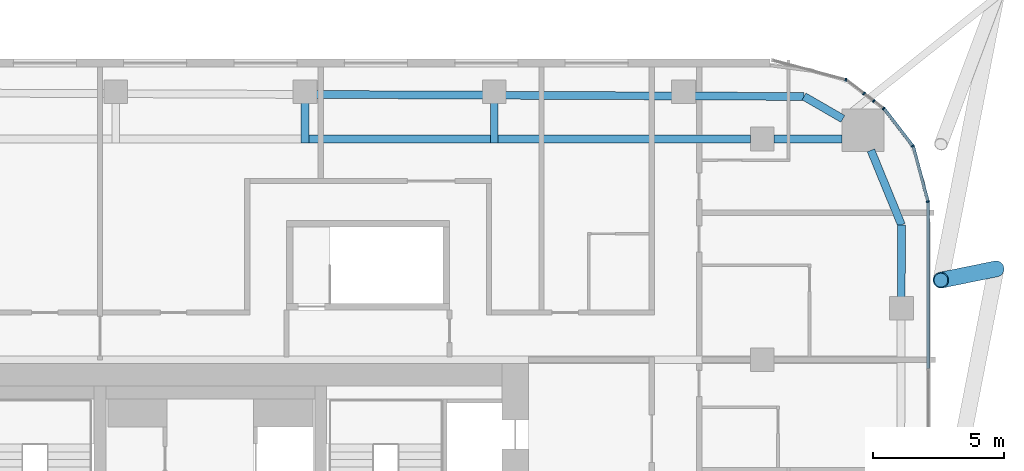
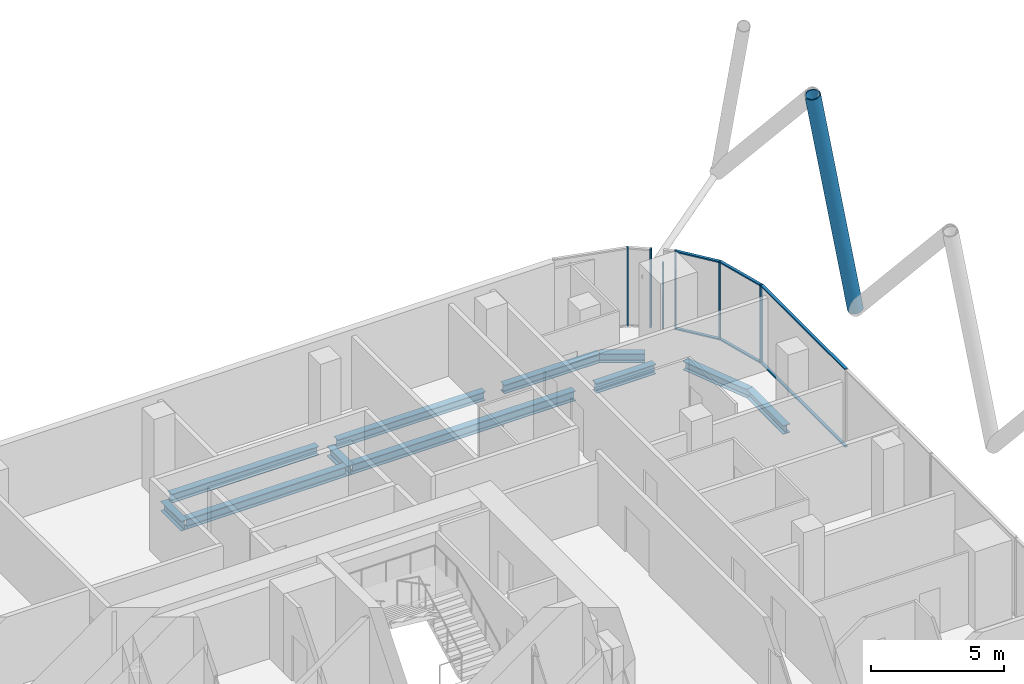
# One storey, part 15 of 34: 13 members, 11 beams, 7 elements without a shape of their own.
"""IFC4 building model written with IfcOpenShell, lengths in metres."""

from ifc_helpers import new_model, si_unit, direction, frame, origin, origin_2d, place, context, subcontext, project, spatial, rectangle, hollow_circle, i_section, extrude, material, layer, layer_set, material_profile, profile_set, type_object, element, aggregate, save


model = new_model("IFC4")

# Units and contexts
model_context = context("Model", 3, precision=1e-05, world=origin(), true_north=direction((0.0, 1.0)))
body_context = subcontext(model_context, "Body", "Model", "MODEL_VIEW")
ifc_project = project(units=[si_unit("LENGTHUNIT", "METRE"), si_unit("AREAUNIT", "SQUARE_METRE"), si_unit("VOLUMEUNIT", "CUBIC_METRE"), si_unit("PLANEANGLEUNIT", "RADIAN"), si_unit("MASSUNIT", "GRAM", prefix="KILO")], contexts=[model_context])

# Site, building, storey
site_placement = place(None, origin())
site = spatial("IfcSite", under=ifc_project, at=site_placement, CompositionType="ELEMENT")
building_placement = place(site_placement, origin())
building = spatial("IfcBuilding", under=site, at=building_placement, Name="Marenta Gate Hotel Tower", CompositionType="ELEMENT")
storey_placement = place(building_placement, frame((0.0, 0.0, 166.10009765625)))
storey = spatial("IfcBuildingStorey", under=building, at=storey_placement, Name="L39", CompositionType="ELEMENT", Elevation=166.10009765625)

# Member
ifc_material_1 = material(Name="Steel S355J2W", Category="steel")
ifc_material_profile_1 = material_profile(ifc_material_1, hollow_circle(Radius=0.304931640625, WallThickness=0.0400390625, at=origin_2d()), Name="CHS 610x40")
ifc_profile_set_1 = profile_set([ifc_material_profile_1], Name="Steel S355J2W")
member_type_1 = type_object("IfcMemberType", Name="Diagrid diagonal T2 CHS 610x40", PredefinedType="BRACE", material=ifc_profile_set_1)
member_1_placement = place(storey_placement, frame((29.89990234375, 20.260009765625, 3.139892578125), z_axis=(-0.19071044896, -0.03904675045, 0.980869448977), x_axis=(0.200582587895, -0.979676796415, 0.0)))
element("IfcMember", 1, at=member_1_placement, inside=storey, type_object=member_type_1, Name="L39-DG-2", PredefinedType="BRACE", context=body_context, shape_type="SweptSolid", body=[
    extrude(hollow_circle(Radius=0.304931640625, WallThickness=0.0400390625, at=origin_2d()), origin(), (0.0, 0.0, 1.0), 11.0107421875),
])

# Beams
ifc_material_2 = material(Name="Steel S355", Category="steel")
ifc_material_profile_2 = material_profile(ifc_material_2, i_section(OverallWidth=0.300048828125, OverallDepth=0.39990234375, WebThickness=0.013427734375, FlangeThickness=0.02392578125, FilletRadius=0.027099609375, at=origin_2d()), Name="HEB 400")
ifc_profile_set_2 = profile_set([ifc_material_profile_2], Name="Steel S355")
beam_type_1 = type_object("IfcBeamType", Name="Edge beam HEB 400", PredefinedType="SPANDREL", material=ifc_profile_set_2)
beam_1_placement = place(storey_placement, frame((4.011474609375, 26.89697265625, -0.460205078125), z_axis=(0.999991780119, -0.004054589324, 0.0), x_axis=(0.004054589324, 0.999991780119, 0.0)))
element("IfcBeam", 2, at=beam_1_placement, inside=storey, type_object=beam_type_1, Name="L39-EB-17", PredefinedType="SPANDREL", context=body_context, shape_type="SweptSolid", body=[
    extrude(i_section(OverallWidth=0.300048828125, OverallDepth=0.39990234375, WebThickness=0.013427734375, FlangeThickness=0.02392578125, FilletRadius=0.027099609375, at=origin_2d()), origin(), (0.0, 0.0, 1.0), 6.382568359375),
])
beam_2_placement = place(storey_placement, frame((11.214111328125, 26.86767578125, -0.460205078125), z_axis=(0.999991780748, -0.00405443424, 0.0), x_axis=(0.00405443424, 0.999991780748, 0.0)))
element("IfcBeam", 3, at=beam_2_placement, inside=storey, type_object=beam_type_1, Name="L39-EB-18", PredefinedType="SPANDREL", context=body_context, shape_type="SweptSolid", body=[
    extrude(i_section(OverallWidth=0.300048828125, OverallDepth=0.39990234375, WebThickness=0.013427734375, FlangeThickness=0.02392578125, FilletRadius=0.027099609375, at=origin_2d()), origin(), (0.0, 0.0, 1.0), 6.3828125),
])
beam_3_placement = place(storey_placement, frame((18.4169921875, 26.83837890625, -0.460205078125), z_axis=(0.999991621459, -0.004093532953, 0.0), x_axis=(0.004093532953, 0.999991621459, 0.0)))
element("IfcBeam", 4, at=beam_3_placement, inside=storey, type_object=beam_type_1, Name="L39-EB-19", PredefinedType="SPANDREL", context=body_context, shape_type="SweptSolid", body=[
    extrude(i_section(OverallWidth=0.300048828125, OverallDepth=0.39990234375, WebThickness=0.013427734375, FlangeThickness=0.02392578125, FilletRadius=0.027099609375, at=origin_2d()), origin(), (0.0, 0.0, 1.0), 4.1748046875),
])
beam_4_placement = place(storey_placement, frame((22.591796875, 26.8212890625, -0.460205078125), z_axis=(0.866016478054, -0.500015459501, 0.0), x_axis=(0.500015459501, 0.866016478054, 0.0)))
element("IfcBeam", 5, at=beam_4_placement, inside=storey, type_object=beam_type_1, Name="L39-EB-20", PredefinedType="SPANDREL", context=body_context, shape_type="SweptSolid", body=[
    extrude(i_section(OverallWidth=0.300048828125, OverallDepth=0.39990234375, WebThickness=0.013427734375, FlangeThickness=0.02392578125, FilletRadius=0.027099609375, at=origin_2d()), origin(), (0.0, 0.0, 1.0), 1.70703125),
])
beam_5_placement = place(storey_placement, frame((25.138916015625, 24.7724609375, -0.460205078125), z_axis=(0.378682450416, -0.925526661824, 0.0), x_axis=(0.925526661824, 0.378682450416, 0.0)))
element("IfcBeam", 6, at=beam_5_placement, inside=storey, type_object=beam_type_1, Name="L39-EB-21", PredefinedType="SPANDREL", context=body_context, shape_type="SweptSolid", body=[
    extrude(i_section(OverallWidth=0.300048828125, OverallDepth=0.39990234375, WebThickness=0.013427734375, FlangeThickness=0.02392578125, FilletRadius=0.027099609375, at=origin_2d()), origin(), (0.0, 0.0, 1.0), 3.066162109375),
])
beam_6_placement = place(storey_placement, frame((26.300048828125, 21.9345703125, -0.460205078125), z_axis=(-0.003351542298, -0.999994383566, 0.0), x_axis=(0.999994383566, -0.003351542298, 0.0)))
element("IfcBeam", 7, at=beam_6_placement, inside=storey, type_object=beam_type_1, Name="L39-EB-22", PredefinedType="SPANDREL", context=body_context, shape_type="SweptSolid", body=[
    extrude(i_section(OverallWidth=0.300048828125, OverallDepth=0.39990234375, WebThickness=0.013427734375, FlangeThickness=0.02392578125, FilletRadius=0.027099609375, at=origin_2d()), origin(), (0.0, 0.0, 1.0), 2.76806640625),
])
ifc_material_3 = material(Name="Steel S355", Category="steel")
ifc_material_profile_3 = material_profile(ifc_material_3, i_section(OverallWidth=0.300048828125, OverallDepth=0.449951171875, WebThickness=0.013916015625, FlangeThickness=0.02587890625, FilletRadius=0.027099609375, at=origin_2d()), Name="HEB 450")
ifc_profile_set_3 = profile_set([ifc_material_profile_3], Name="Steel S355")
beam_type_2 = type_object("IfcBeamType", Name="Girder HEB 450", PredefinedType="BEAM", material=ifc_profile_set_3)
beam_7_placement = place(storey_placement, frame((3.75146484375, 25.199951171875, -0.485107421875), z_axis=(1.0, 0.0, 0.0), x_axis=(0.0, 1.0, 0.0)))
element("IfcBeam", 8, at=beam_7_placement, inside=storey, type_object=beam_type_2, Name="L39-GD-33", PredefinedType="BEAM", context=body_context, shape_type="SweptSolid", body=[
    extrude(i_section(OverallWidth=0.300048828125, OverallDepth=0.449951171875, WebThickness=0.013916015625, FlangeThickness=0.02587890625, FilletRadius=0.027099609375, at=origin_2d()), origin(), (0.0, 0.0, 1.0), 6.902587890625),
])
beam_8_placement = place(storey_placement, frame((10.9541015625, 25.199951171875, -0.485107421875), z_axis=(1.0, 0.0, 0.0), x_axis=(0.0, 1.0, 0.0)))
element("IfcBeam", 9, at=beam_8_placement, inside=storey, type_object=beam_type_2, Name="L39-GD-34", PredefinedType="BEAM", context=body_context, shape_type="SweptSolid", body=[
    extrude(i_section(OverallWidth=0.300048828125, OverallDepth=0.449951171875, WebThickness=0.013916015625, FlangeThickness=0.02587890625, FilletRadius=0.027099609375, at=origin_2d()), origin(), (0.0, 0.0, 1.0), 9.595947265625),
])
beam_9_placement = place(storey_placement, frame((21.449951171875, 25.199951171875, -0.485107421875), z_axis=(1.0, 0.0, 0.0), x_axis=(0.0, 1.0, 0.0)))
element("IfcBeam", 10, at=beam_9_placement, inside=storey, type_object=beam_type_2, Name="L39-GD-35", PredefinedType="BEAM", context=body_context, shape_type="SweptSolid", body=[
    extrude(i_section(OverallWidth=0.300048828125, OverallDepth=0.449951171875, WebThickness=0.013916015625, FlangeThickness=0.02587890625, FilletRadius=0.027099609375, at=origin_2d()), origin(), (0.0, 0.0, 1.0), 2.58544921875),
])
ifc_material_4 = material(Name="Steel S355", Category="steel")
ifc_material_profile_4 = material_profile(ifc_material_4, i_section(OverallWidth=0.300048828125, OverallDepth=0.449951171875, WebThickness=0.013916015625, FlangeThickness=0.02587890625, FilletRadius=0.027099609375, at=origin_2d()), Name="HEB 450")
ifc_profile_set_4 = profile_set([ifc_material_profile_4], Name="Steel S355")
beam_type_3 = type_object("IfcBeamType", Name="Girder bracket HEB 450", PredefinedType="BEAM", material=ifc_profile_set_4)
for number, where, z_axis, x_axis, name in (
    (11, (3.601318359375, 25.050048828125, -0.485107421875), (0.0, 1.0, 0.0), (-1.0, 0.0, 0.0), "L39-GS-3"),
    (12, (10.80419921875, 25.050048828125, -0.485107421875), (0.0, 1.0, 0.0), (-1.0, 0.0, 0.0), "L39-GS-4"),
):
    element("IfcBeam", number, at=place(storey_placement, frame(where, z_axis=z_axis, x_axis=x_axis)), inside=storey, type_object=beam_type_3, Name=name, PredefinedType="BEAM", context=body_context, shape_type="SweptSolid", body=[
        extrude(i_section(OverallWidth=0.300048828125, OverallDepth=0.449951171875, WebThickness=0.013916015625, FlangeThickness=0.02587890625, FilletRadius=0.027099609375, at=origin_2d()), origin(), (0.0, 0.0, 1.0), 1.5400390625),
    ])

# Curtain wall, member
ifc_material_5 = material(Name="Tinted insulated glass in bronze anodised frame", Category="glass")
ifc_layer = layer(ifc_material_5, 0.1201171875)
ifc_layer_set = layer_set([ifc_layer], Name="Tinted insulated glass in bronze anodised frame")
curtain_wall_type = type_object("IfcCurtainWallType", Name="Tower unitised curtain wall CW1", PredefinedType="NOTDEFINED", material=ifc_layer_set)
curtain_wall_1_placement = place(storey_placement, origin())
curtain_wall_1 = element("IfcCurtainWall", 13, at=curtain_wall_1_placement, inside=storey, type_object=curtain_wall_type, Name="CW1 run G20", PredefinedType="NOTDEFINED")
ifc_material_6 = material(Name="Bronze anodised aluminium", Category="aluminium")
ifc_material_profile_5 = material_profile(ifc_material_6, rectangle(XDim=0.1201171875, YDim=0.06005859375, at=origin_2d()), Name="Mullion CW1 60x120 bronze anodised aluminium")
ifc_profile_set_5 = profile_set([ifc_material_profile_5], Name="Bronze anodised aluminium")
member_type_2 = type_object("IfcMemberType", Name="Mullion CW1 60x120 bronze anodised aluminium", PredefinedType="MULLION", material=ifc_profile_set_5)
member_2_placement = place(storey_placement, frame((27.30615234375, 22.82080078125, 0.0), z_axis=(0.0, 0.0, 1.0), x_axis=(-0.965924859908, -0.258822651658, 0.0)))
member_2 = element("IfcMember", 14, at=member_2_placement, type_object=member_type_2, Name="CW1 mullion 1", PredefinedType="MULLION", context=body_context, shape_type="SweptSolid", body=[
    extrude(rectangle(XDim=0.1201171875, YDim=0.06005859375, at=origin_2d()), origin(), (0.0, 0.0, 1.0), 3.599853515625),
])

curtain_wall_2_placement = place(storey_placement, origin())
curtain_wall_2 = element("IfcCurtainWall", 15, at=curtain_wall_2_placement, inside=storey, type_object=curtain_wall_type, Name="CW1 run G21", PredefinedType="NOTDEFINED")
member_3_placement = place(storey_placement, frame((26.727783203125, 24.93505859375, 0.0), z_axis=(0.0, 0.0, 1.0), x_axis=(-0.793326722289, -0.608796116694, 0.0)))
member_3 = element("IfcMember", 16, at=member_3_placement, type_object=member_type_2, Name="CW1 mullion 1", PredefinedType="MULLION", context=body_context, shape_type="SweptSolid", body=[
    extrude(rectangle(XDim=0.1201171875, YDim=0.06005859375, at=origin_2d()), origin(), (0.0, 0.0, 1.0), 3.599853515625),
])

curtain_wall_3_placement = place(storey_placement, origin())
curtain_wall_3 = element("IfcCurtainWall", 17, at=curtain_wall_3_placement, inside=storey, type_object=curtain_wall_type, Name="CW1 run G22", PredefinedType="NOTDEFINED")
member_4_placement = place(storey_placement, frame((25.62158203125, 26.36376953125, 0.0), z_axis=(0.0, 0.0, 1.0), x_axis=(-0.608747432147, -0.793364080265, 0.0)))
member_4 = element("IfcMember", 18, at=member_4_placement, type_object=member_type_2, Name="CW1 mullion 1", PredefinedType="MULLION", context=body_context, shape_type="SweptSolid", body=[
    extrude(rectangle(XDim=0.1201171875, YDim=0.06005859375, at=origin_2d()), origin(), (0.0, 0.0, 1.0), 3.599853515625),
])
aggregate(curtain_wall_3, [member_4])

curtain_wall_4_placement = place(storey_placement, origin())
curtain_wall_4 = element("IfcCurtainWall", 19, at=curtain_wall_4_placement, inside=storey, type_object=curtain_wall_type, Name="CW1 run G23", PredefinedType="NOTDEFINED")
member_5_placement = place(storey_placement, frame((25.247314453125, 26.65087890625, 0.0), z_axis=(0.0, 0.0, 1.0), x_axis=(-0.608768640723, -0.793347806496, 0.0)))
member_5 = element("IfcMember", 20, at=member_5_placement, type_object=member_type_2, Name="CW1 mullion 1", PredefinedType="MULLION", context=body_context, shape_type="SweptSolid", body=[
    extrude(rectangle(XDim=0.1201171875, YDim=0.06005859375, at=origin_2d()), origin(), (0.0, 0.0, 1.0), 3.00048828125),
])
aggregate(curtain_wall_4, [member_5])

curtain_wall_5_placement = place(storey_placement, origin())
curtain_wall_5 = element("IfcCurtainWall", 21, at=curtain_wall_5_placement, inside=storey, type_object=curtain_wall_type, Name="CW1 run G24", PredefinedType="NOTDEFINED")
member_6_placement = place(storey_placement, frame((24.876953125, 26.935302734375, 0.0), z_axis=(0.0, 0.0, 1.0), x_axis=(-0.608837310591, -0.793295108539, 0.0)))
member_6 = element("IfcMember", 22, at=member_6_placement, type_object=member_type_2, Name="CW1 mullion 1", PredefinedType="MULLION", context=body_context, shape_type="SweptSolid", body=[
    extrude(rectangle(XDim=0.1201171875, YDim=0.06005859375, at=origin_2d()), origin(), (0.0, 0.0, 1.0), 3.599853515625),
])
aggregate(curtain_wall_5, [member_6])

curtain_wall_6_placement = place(storey_placement, origin())
curtain_wall_6 = element("IfcCurtainWall", 23, at=curtain_wall_6_placement, inside=storey, type_object=curtain_wall_type, Name="CW1 run G25", PredefinedType="NOTDEFINED")
member_7_placement = place(storey_placement, frame((24.182373046875, 27.453857421875, 0.0), z_axis=(0.0, 0.0, 1.0), x_axis=(-0.258805989975, -0.965929324305, 0.0)))
member_7 = element("IfcMember", 24, at=member_7_placement, type_object=member_type_2, Name="CW1 mullion 1", PredefinedType="MULLION", context=body_context, shape_type="SweptSolid", body=[
    extrude(rectangle(XDim=0.1201171875, YDim=0.06005859375, at=origin_2d()), origin(), (0.0, 0.0, 1.0), 3.599853515625),
])
aggregate(curtain_wall_6, [member_7])

# Curtain wall, members
curtain_wall_7_placement = place(storey_placement, origin())
curtain_wall_7 = element("IfcCurtainWall", 25, at=curtain_wall_7_placement, inside=storey, type_object=curtain_wall_type, Name="CW1 run G19", PredefinedType="NOTDEFINED")
ifc_material_7 = material(Name="Bronze anodised aluminium", Category="aluminium")
ifc_material_profile_6 = material_profile(ifc_material_7, rectangle(XDim=0.1201171875, YDim=0.06005859375, at=origin_2d()), Name="Transom CW1 60x120 bronze anodised aluminium")
ifc_profile_set_6 = profile_set([ifc_material_profile_6], Name="Bronze anodised aluminium")
member_type_3 = type_object("IfcMemberType", Name="Transom CW1 60x120 bronze anodised aluminium", PredefinedType="USERDEFINED", material=ifc_profile_set_6)
member_8_placement = place(storey_placement, frame((27.31396484375, 16.4619140625, 0.02978515625), z_axis=(0.0, 1.0, 0.0), x_axis=(-1.0, 0.0, 0.0)))
member_8 = element("IfcMember", 26, at=member_8_placement, type_object=member_type_3, Name="CW1 transom 6.1", ObjectType="TRANSOM", PredefinedType="USERDEFINED", context=body_context, shape_type="SweptSolid", body=[
    extrude(rectangle(XDim=0.1201171875, YDim=0.06005859375, at=origin_2d()), origin(), (0.0, 0.0, 1.0), 6.330078125),
])
member_9_placement = place(storey_placement, frame((27.31396484375, 16.4619140625, 3.56982421875), z_axis=(0.0, 1.0, 0.0), x_axis=(-1.0, 0.0, 0.0)))
member_9 = element("IfcMember", 27, at=member_9_placement, type_object=member_type_3, Name="CW1 transom 6.2", ObjectType="TRANSOM", PredefinedType="USERDEFINED", context=body_context, shape_type="SweptSolid", body=[
    extrude(rectangle(XDim=0.1201171875, YDim=0.06005859375, at=origin_2d()), origin(), (0.0, 0.0, 1.0), 6.330078125),
])
aggregate(curtain_wall_7, [member_8, member_9])

# Member
member_10_placement = place(storey_placement, frame((27.298583984375, 22.849853515625, 0.02978515625), z_axis=(-0.258865686882, 0.965913327455, 0.0), x_axis=(-0.965913327455, -0.258865686882, 0.0)))
member_10 = element("IfcMember", 28, at=member_10_placement, type_object=member_type_3, Name="CW1 transom 1.1", ObjectType="TRANSOM", PredefinedType="USERDEFINED", context=body_context, shape_type="SweptSolid", body=[
    extrude(rectangle(XDim=0.1201171875, YDim=0.06005859375, at=origin_2d()), origin(), (0.0, 0.0, 1.0), 2.13427734375),
])

member_11_placement = place(storey_placement, frame((27.298583984375, 22.849853515625, 3.56982421875), z_axis=(-0.258865686882, 0.965913327455, 0.0), x_axis=(-0.965913327455, -0.258865686882, 0.0)))
member_11 = element("IfcMember", 29, at=member_11_placement, type_object=member_type_3, Name="CW1 transom 1.2", ObjectType="TRANSOM", PredefinedType="USERDEFINED", context=body_context, shape_type="SweptSolid", body=[
    extrude(rectangle(XDim=0.1201171875, YDim=0.06005859375, at=origin_2d()), origin(), (0.0, 0.0, 1.0), 2.13427734375),
])

aggregate(curtain_wall_1, [member_2, member_10, member_11])

member_12_placement = place(storey_placement, frame((26.70947265625, 24.958984375, 0.02978515625), z_axis=(-0.608792205599, 0.793329723634, 0.0), x_axis=(-0.793329723634, -0.608792205599, 0.0)))
member_12 = element("IfcMember", 30, at=member_12_placement, type_object=member_type_3, Name="CW1 transom 1.1", ObjectType="TRANSOM", PredefinedType="USERDEFINED", context=body_context, shape_type="SweptSolid", body=[
    extrude(rectangle(XDim=0.1201171875, YDim=0.06005859375, at=origin_2d()), origin(), (0.0, 0.0, 1.0), 1.74755859375),
])

member_13_placement = place(storey_placement, frame((26.70947265625, 24.958984375, 3.56982421875), z_axis=(-0.608792205599, 0.793329723634, 0.0), x_axis=(-0.793329723634, -0.608792205599, 0.0)))
member_13 = element("IfcMember", 31, at=member_13_placement, type_object=member_type_3, Name="CW1 transom 1.2", ObjectType="TRANSOM", PredefinedType="USERDEFINED", context=body_context, shape_type="SweptSolid", body=[
    extrude(rectangle(XDim=0.1201171875, YDim=0.06005859375, at=origin_2d()), origin(), (0.0, 0.0, 1.0), 1.74755859375),
])

aggregate(curtain_wall_2, [member_3, member_12, member_13])

save(model, "model.ifc")
